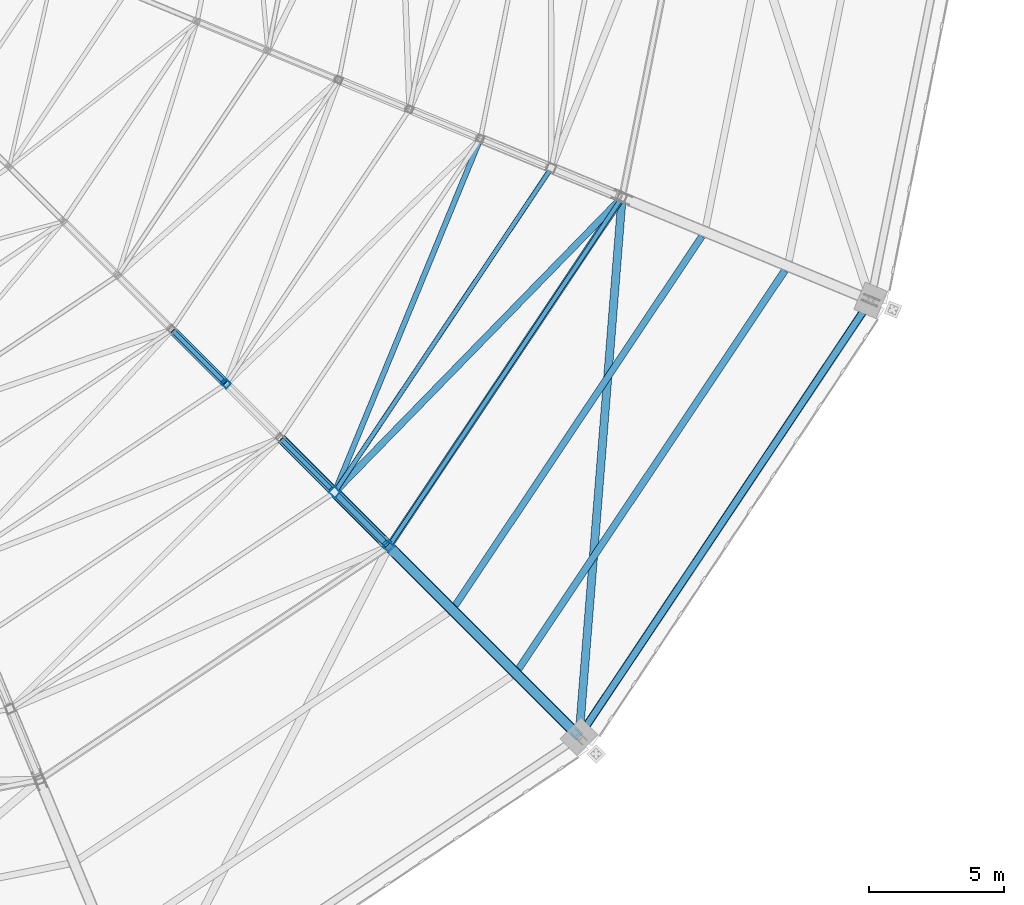
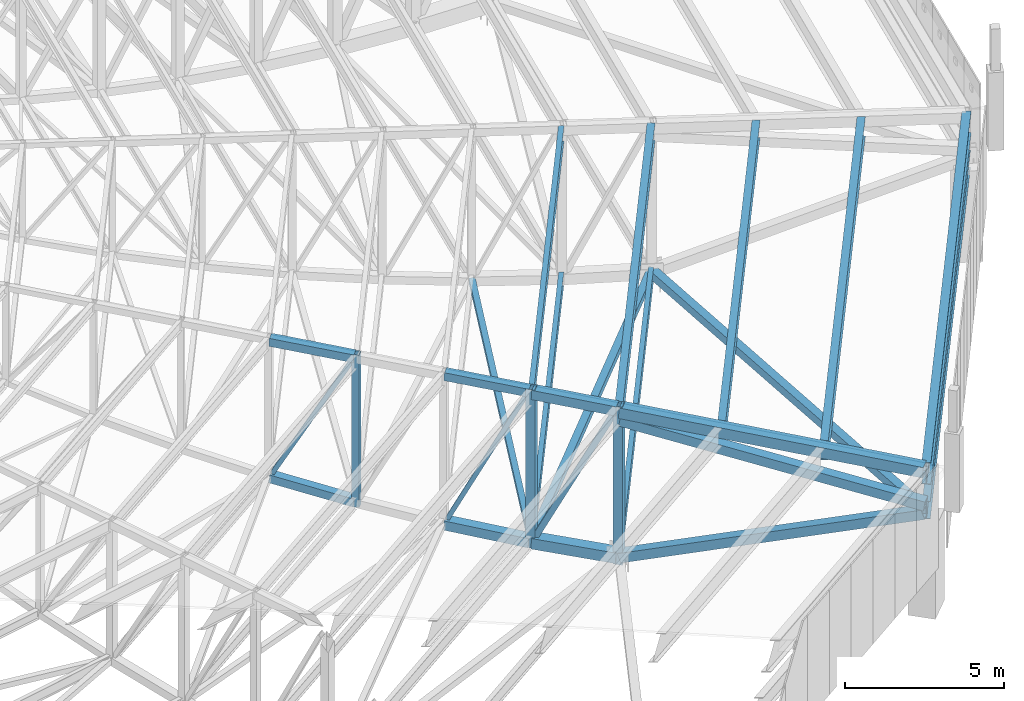
# One storey, part 45 of 278: 15 members, 11 beams.
"""IFC4 building model written with IfcOpenShell, lengths in metres."""

from ifc_helpers import new_model, si_unit, direction, frame, origin, origin_2d, place, context, subcontext, project, spatial, hollow_rectangle, i_section, extrude, material, material_profile, profile_set, type_object, element, save


model = new_model("IFC4")

# Units and contexts
model_context = context("Model", 3, precision=1e-05, world=origin(), true_north=direction((0.0, 1.0)))
body_context = subcontext(model_context, "Body", "Model", "MODEL_VIEW")
ifc_project = project(units=[si_unit("LENGTHUNIT", "METRE"), si_unit("AREAUNIT", "SQUARE_METRE"), si_unit("VOLUMEUNIT", "CUBIC_METRE"), si_unit("PLANEANGLEUNIT", "RADIAN"), si_unit("MASSUNIT", "GRAM", prefix="KILO")], contexts=[model_context])

# Site, building, storey
site_placement = place(None, origin())
site = spatial("IfcSite", under=ifc_project, at=site_placement, CompositionType="ELEMENT")
building_placement = place(site_placement, origin())
building = spatial("IfcBuilding", under=site, at=building_placement, Name="Ogive Plaza Stadium", CompositionType="ELEMENT")
storey_placement = place(building_placement, frame((0.0, 0.0, 29.0)))
storey = spatial("IfcBuildingStorey", under=building, at=storey_placement, Name="Roof", CompositionType="ELEMENT", Elevation=29.0)

# Members
ifc_material_1 = material(Name="Steel ASTM A500 Grade C", Category="steel")
ifc_material_profile_1 = material_profile(ifc_material_1, hollow_rectangle(XDim=0.25390625, YDim=0.25390625, WallThickness=0.0087890625, at=origin_2d()), Name="HSS10X10X3/8")
ifc_profile_set_1 = profile_set([ifc_material_profile_1], Name="Steel ASTM A500 Grade C")
member_type_1 = type_object("IfcMemberType", Name="Roof plan brace HSS10X10X3/8", PredefinedType="BRACE", material=ifc_profile_set_1)
member_1_placement = place(storey_placement, frame((60.355712890625, -78.68017578125, 0.266845703125), z_axis=(0.698042453973, 0.716044061782, -0.004199290068), x_axis=(-0.71605037524, 0.698048608708, 0.0)))
element("IfcMember", 1, at=member_1_placement, inside=storey, type_object=member_type_1, Name="ROOF BRACE B09 10", PredefinedType="BRACE", context=body_context, shape_type="SweptSolid", body=[
    extrude(hollow_rectangle(XDim=0.25390625, YDim=0.25390625, WallThickness=0.0087890625, at=origin_2d()), origin(), (0.0, 0.0, 1.0), 14.999755859375),
])
ifc_material_2 = material(Name="Steel ASTM A500 Grade C", Category="steel")
ifc_material_profile_2 = material_profile(ifc_material_2, hollow_rectangle(XDim=0.3046875, YDim=0.3046875, WallThickness=0.0087890625, at=origin_2d()), Name="HSS12X12X3/8")
ifc_profile_set_2 = profile_set([ifc_material_profile_2], Name="Steel ASTM A500 Grade C")
member_type_2 = type_object("IfcMemberType", Name="Roof plan brace HSS12X12X3/8", PredefinedType="BRACE", material=ifc_profile_set_2)
member_2_placement = place(storey_placement, frame((70.94091796875, -67.986328125, 0.234130859375), z_axis=(-0.078381095725, -0.982279512354, 0.170245010036), x_axis=(0.99683149372, -0.07954227259, 0.0)))
element("IfcMember", 2, at=member_2_placement, inside=storey, type_object=member_type_2, Name="ROOF BRACE B09 11", PredefinedType="BRACE", context=body_context, shape_type="SweptSolid", body=[
    extrude(hollow_rectangle(XDim=0.3046875, YDim=0.3046875, WallThickness=0.0087890625, at=origin_2d()), origin(), (0.0, 0.0, 1.0), 19.99072265625),
])
ifc_material_3 = material(Name="Steel ASTM A500 Grade C", Category="steel")
ifc_material_profile_3 = material_profile(ifc_material_3, hollow_rectangle(XDim=0.203125, YDim=0.203125, WallThickness=0.0087890625, at=origin_2d()), Name="HSS8X8X3/8")
ifc_profile_set_3 = profile_set([ifc_material_profile_3], Name="Steel ASTM A500 Grade C")
member_type_3 = type_object("IfcMemberType", Name="Roof plan brace HSS8X8X3/8", PredefinedType="BRACE", material=ifc_profile_set_3)
member_3_placement = place(storey_placement, frame((65.652099609375, -65.7158203125, 0.43359375), z_axis=(-0.381221848811, -0.924408703201, -0.011766538784), x_axis=(0.924472702703, -0.381248241907, 0.0)))
element("IfcMember", 3, at=member_3_placement, inside=storey, type_object=member_type_3, Name="ROOF BRACE B09 9", PredefinedType="BRACE", context=body_context, shape_type="SweptSolid", body=[
    extrude(hollow_rectangle(XDim=0.203125, YDim=0.203125, WallThickness=0.0087890625, at=origin_2d()), origin(), (0.0, 0.0, 1.0), 13.943115234375),
])
ifc_material_4 = material(Name="Steel ASTM A992 Grade 50", Category="steel")
ifc_material_profile_4 = material_profile(ifc_material_4, i_section(OverallWidth=0.1650390625, OverallDepth=0.524658203125, WebThickness=0.0087890625, FlangeThickness=0.011474609375, at=origin_2d()), Name="W21X44")
ifc_profile_set_4 = profile_set([ifc_material_profile_4], Name="Steel ASTM A992 Grade 50")
member_type_4 = type_object("IfcMemberType", Name="Roof plan strut W21X44", PredefinedType="STRUT", material=ifc_profile_set_4)
member_4_placement = place(storey_placement, frame((68.243408203125, -66.834716796875, 0.267333984375), z_axis=(-0.555572061125, -0.831468390799, 0.0), x_axis=(0.831468390799, -0.555572061125, 0.0)))
element("IfcMember", 4, at=member_4_placement, inside=storey, type_object=member_type_4, Name="ROOF STRUT B09 9", PredefinedType="STRUT", context=body_context, shape_type="SweptSolid", body=[
    extrude(i_section(OverallWidth=0.1650390625, OverallDepth=0.524658203125, WebThickness=0.0087890625, FlangeThickness=0.011474609375, at=origin_2d()), origin(), (0.0, 0.0, 1.0), 14.21142578125),
])
member_5_placement = place(storey_placement, frame((70.87646484375, -67.92529296875, 0.203125), z_axis=(-0.55557861986, -0.831464008334, 0.0), x_axis=(0.831464008334, -0.55557861986, 0.0)))
element("IfcMember", 5, at=member_5_placement, inside=storey, type_object=member_type_4, Name="ROOF STRUT B09 10", PredefinedType="STRUT", context=body_context, shape_type="SweptSolid", body=[
    extrude(i_section(OverallWidth=0.1650390625, OverallDepth=0.524658203125, WebThickness=0.0087890625, FlangeThickness=0.011474609375, at=origin_2d()), origin(), (0.0, 0.0, 1.0), 15.323486328125),
])
ifc_material_5 = material(Name="Steel ASTM A992 Grade 50", Category="steel")
ifc_material_profile_5 = material_profile(ifc_material_5, i_section(OverallWidth=0.2529296875, OverallDepth=0.678466796875, WebThickness=0.01171875, FlangeThickness=0.016357421875, at=origin_2d()), Name="W27X84")
ifc_profile_set_5 = profile_set([ifc_material_profile_5], Name="Steel ASTM A992 Grade 50")
member_type_5 = type_object("IfcMemberType", Name="Roof plan strut W27X84", PredefinedType="STRUT", material=ifc_profile_set_5)
member_6_placement = place(storey_placement, frame((80.13916015625, -71.71630859375, 3.677734375), z_axis=(-0.555575120146, -0.831466346809, 0.0), x_axis=(0.831466346809, -0.555575120146, 0.0)))
element("IfcMember", 6, at=member_6_placement, inside=storey, type_object=member_type_5, Name="ROOF STRUT B09 11", PredefinedType="STRUT", context=body_context, shape_type="SweptSolid", body=[
    extrude(i_section(OverallWidth=0.2529296875, OverallDepth=0.678466796875, WebThickness=0.01171875, FlangeThickness=0.016357421875, at=origin_2d()), origin(), (0.0, 0.0, 1.0), 19.3115234375),
])
ifc_material_6 = material(Name="Steel ASTM A992 Grade 50", Category="steel")
ifc_material_profile_6 = material_profile(ifc_material_6, i_section(OverallWidth=0.177978515625, OverallDepth=0.5986328125, WebThickness=0.010009765625, FlangeThickness=0.012939453125, at=origin_2d()), Name="W24X55")
ifc_profile_set_6 = profile_set([ifc_material_profile_6], Name="Steel ASTM A992 Grade 50")
member_type_6 = type_object("IfcMemberType", Name="Roof purlin W24X55", PredefinedType="PURLIN", material=ifc_profile_set_6)
member_7_placement = place(storey_placement, frame((68.24267578125, -66.835693359375, 5.84326171875), z_axis=(-0.555576164606, -0.831465648913, 0.0), x_axis=(0.831465648913, -0.555576164606, 0.0)))
element("IfcMember", 7, at=member_7_placement, inside=storey, type_object=member_type_6, Name="ROOF PURLIN B09 9", PredefinedType="PURLIN", context=body_context, shape_type="SweptSolid", body=[
    extrude(i_section(OverallWidth=0.177978515625, OverallDepth=0.5986328125, WebThickness=0.010009765625, FlangeThickness=0.012939453125, at=origin_2d()), origin(), (0.0, 0.0, 1.0), 14.209228515625),
])
ifc_material_7 = material(Name="Steel ASTM A992 Grade 50", Category="steel")
ifc_material_profile_7 = material_profile(ifc_material_7, i_section(OverallWidth=0.2529296875, OverallDepth=0.678466796875, WebThickness=0.01171875, FlangeThickness=0.016357421875, at=origin_2d()), Name="W27X84")
ifc_profile_set_7 = profile_set([ifc_material_profile_7], Name="Steel ASTM A992 Grade 50")
member_type_7 = type_object("IfcMemberType", Name="Roof purlin W27X84", PredefinedType="PURLIN", material=ifc_profile_set_7)
member_8_placement = place(storey_placement, frame((70.87158203125, -67.9326171875, 5.660888671875), z_axis=(-0.55557226162, -0.831468256832, 0.0), x_axis=(0.831468256832, -0.55557226162, 0.0)))
element("IfcMember", 8, at=member_8_placement, inside=storey, type_object=member_type_7, Name="ROOF PURLIN B09 10", PredefinedType="PURLIN", context=body_context, shape_type="SweptSolid", body=[
    extrude(i_section(OverallWidth=0.2529296875, OverallDepth=0.678466796875, WebThickness=0.01171875, FlangeThickness=0.016357421875, at=origin_2d()), origin(), (0.0, 0.0, 1.0), 15.30615234375),
])
member_9_placement = place(storey_placement, frame((73.92236328125, -69.251220703125, 5.494140625), z_axis=(-0.555570434046, -0.831469477981, 0.0), x_axis=(0.831469477981, -0.555570434046, 0.0)))
element("IfcMember", 9, at=member_9_placement, inside=storey, type_object=member_type_7, Name="ROOF PURLIN B09 11", PredefinedType="PURLIN", context=body_context, shape_type="SweptSolid", body=[
    extrude(i_section(OverallWidth=0.2529296875, OverallDepth=0.678466796875, WebThickness=0.01171875, FlangeThickness=0.016357421875, at=origin_2d()), origin(), (0.0, 0.0, 1.0), 16.503173828125),
])
ifc_material_8 = material(Name="Steel ASTM A992 Grade 50", Category="steel")
ifc_material_profile_8 = material_profile(ifc_material_8, i_section(OverallWidth=0.26416015625, OverallDepth=0.75, WebThickness=0.011962890625, FlangeThickness=0.015380859375, at=origin_2d()), Name="W30X90")
ifc_profile_set_8 = profile_set([ifc_material_profile_8], Name="Steel ASTM A992 Grade 50")
member_type_8 = type_object("IfcMemberType", Name="Roof purlin W30X90", PredefinedType="PURLIN", material=ifc_profile_set_8)
member_10_placement = place(storey_placement, frame((77.00146484375, -70.52783203125, 5.291748046875), z_axis=(-0.555579732472, -0.831463264893, 0.0), x_axis=(0.831463264893, -0.555579732472, 0.0)))
element("IfcMember", 10, at=member_10_placement, inside=storey, type_object=member_type_8, Name="ROOF PURLIN B09 12", PredefinedType="PURLIN", context=body_context, shape_type="SweptSolid", body=[
    extrude(i_section(OverallWidth=0.26416015625, OverallDepth=0.75, WebThickness=0.011962890625, FlangeThickness=0.015380859375, at=origin_2d()), origin(), (0.0, 0.0, 1.0), 17.801513671875),
])
ifc_material_9 = material(Name="Steel ASTM A992 Grade 50", Category="steel")
ifc_material_profile_9 = material_profile(ifc_material_9, i_section(OverallWidth=0.2919921875, OverallDepth=0.834716796875, WebThickness=0.013916015625, FlangeThickness=0.018798828125, at=origin_2d()), Name="W33X118")
ifc_profile_set_9 = profile_set([ifc_material_profile_9], Name="Steel ASTM A992 Grade 50")
member_type_9 = type_object("IfcMemberType", Name="Roof purlin W33X118", PredefinedType="PURLIN", material=ifc_profile_set_9)
member_11_placement = place(storey_placement, frame((80.136962890625, -71.719482421875, 5.082763671875), z_axis=(-0.55556963677, -0.831470010703, 0.0), x_axis=(0.831470010703, -0.55556963677, 0.0)))
element("IfcMember", 11, at=member_11_placement, inside=storey, type_object=member_type_9, Name="ROOF PURLIN B09 13", PredefinedType="PURLIN", context=body_context, shape_type="SweptSolid", body=[
    extrude(i_section(OverallWidth=0.2919921875, OverallDepth=0.834716796875, WebThickness=0.013916015625, FlangeThickness=0.018798828125, at=origin_2d()), origin(), (0.0, 0.0, 1.0), 19.3037109375),
])

# Beams
ifc_material_10 = material(Name="Steel ASTM A500 Grade C", Category="steel")
ifc_material_profile_10 = material_profile(ifc_material_10, hollow_rectangle(XDim=0.355712890625, YDim=0.355712890625, WallThickness=0.0146484375, at=origin_2d()), Name="HSS14X14X5/8")
ifc_profile_set_10 = profile_set([ifc_material_profile_10], Name="Steel ASTM A500 Grade C")
beam_type_1 = type_object("IfcBeamType", Name="Roof truss back-span bottom chord HSS14X14X5/8", PredefinedType="BEAM", material=ifc_profile_set_10)
beam_1_placement = place(storey_placement, frame((62.319580078125, -80.819580078125, 0.205810546875), z_axis=(0.667408831989, -0.667408831989, 0.330349666211), x_axis=(0.707106781187, 0.707106781187, 0.0)))
element("IfcBeam", 12, at=beam_1_placement, inside=storey, type_object=beam_type_1, Name="ROOF TRUSS T10 BOTTOM CHORD 11", PredefinedType="BEAM", context=body_context, shape_type="SweptSolid", body=[
    extrude(hollow_rectangle(XDim=0.355712890625, YDim=0.355712890625, WallThickness=0.0146484375, at=origin_2d()), origin(), (0.0, 0.0, 1.0), 10.4794921875),
])
ifc_material_11 = material(Name="Steel ASTM A500 Grade C", Category="steel")
ifc_material_profile_11 = material_profile(ifc_material_11, hollow_rectangle(XDim=0.406494140625, YDim=0.406494140625, WallThickness=0.01171875, at=origin_2d()), Name="HSS16X16X1/2")
ifc_profile_set_11 = profile_set([ifc_material_profile_11], Name="Steel ASTM A500 Grade C")
beam_type_2 = type_object("IfcBeamType", Name="Roof truss back-span top chord HSS16X16X1/2", PredefinedType="BEAM", material=ifc_profile_set_11)
beam_2_placement = place(storey_placement, frame((62.319580078125, -80.819580078125, 5.7939453125), z_axis=(0.706225036151, -0.706225036151, -0.049923908359), x_axis=(0.707106781187, 0.707106781187, 0.0)))
element("IfcBeam", 13, at=beam_2_placement, inside=storey, type_object=beam_type_2, Name="ROOF TRUSS T10 TOP CHORD 11", PredefinedType="BEAM", context=body_context, shape_type="SweptSolid", body=[
    extrude(hollow_rectangle(XDim=0.406494140625, YDim=0.406494140625, WallThickness=0.01171875, at=origin_2d()), origin(), (0.0, 0.0, 1.0), 9.91259765625),
])

# Member
ifc_material_12 = material(Name="Steel ASTM A500 Grade C", Category="steel")
ifc_material_profile_12 = material_profile(ifc_material_12, hollow_rectangle(XDim=0.355712890625, YDim=0.355712890625, WallThickness=0.01171875, at=origin_2d()), Name="HSS14X14X1/2")
ifc_profile_set_12 = profile_set([ifc_material_profile_12], Name="Steel ASTM A500 Grade C")
member_type_10 = type_object("IfcMemberType", Name="Roof truss back-stay HSS14X14X1/2", PredefinedType="BRACE", material=ifc_profile_set_12)
member_12_placement = place(storey_placement, frame((62.331787109375, -80.831787109375, 5.456787109375), z_axis=(0.699520899886, -0.699520899886, -0.146085664062), x_axis=(0.707106781187, 0.707106781187, 0.0)))
element("IfcMember", 14, at=member_12_placement, inside=storey, type_object=member_type_10, Name="BACK-STAY T10", PredefinedType="BRACE", context=body_context, shape_type="SweptSolid", body=[
    extrude(hollow_rectangle(XDim=0.355712890625, YDim=0.355712890625, WallThickness=0.01171875, at=origin_2d()), origin(), (0.0, 0.0, 1.0), 10.02392578125),
])

# Beams
ifc_material_13 = material(Name="Steel ASTM A500 Grade C", Category="steel")
ifc_material_profile_13 = material_profile(ifc_material_13, hollow_rectangle(XDim=0.3046875, YDim=0.3046875, WallThickness=0.0146484375, at=origin_2d()), Name="HSS12X12X5/8")
ifc_profile_set_13 = profile_set([ifc_material_profile_13], Name="Steel ASTM A500 Grade C")
beam_type_3 = type_object("IfcBeamType", Name="Roof truss bottom chord HSS12X12X5/8", PredefinedType="BEAM", material=ifc_profile_set_13)
beam_3_placement = place(storey_placement, frame((54.258544921875, -72.758544921875, 1.17431640625), z_axis=(0.698468783112, -0.698468783112, -0.155829130896), x_axis=(0.707106781187, 0.707106781187, 0.0)))
element("IfcBeam", 15, at=beam_3_placement, inside=storey, type_object=beam_type_3, Name="ROOF TRUSS T10 BOTTOM CHORD 7", PredefinedType="BEAM", context=body_context, shape_type="SweptSolid", body=[
    extrude(hollow_rectangle(XDim=0.3046875, YDim=0.3046875, WallThickness=0.0146484375, at=origin_2d()), origin(), (0.0, 0.0, 1.0), 2.7841796875),
])
ifc_material_14 = material(Name="Steel ASTM A500 Grade C", Category="steel")
ifc_material_profile_14 = material_profile(ifc_material_14, hollow_rectangle(XDim=0.355712890625, YDim=0.355712890625, WallThickness=0.0146484375, at=origin_2d()), Name="HSS14X14X5/8")
ifc_profile_set_14 = profile_set([ifc_material_profile_14], Name="Steel ASTM A500 Grade C")
beam_type_4 = type_object("IfcBeamType", Name="Roof truss bottom chord HSS14X14X5/8", PredefinedType="BEAM", material=ifc_profile_set_14)
beam_4_placement = place(storey_placement, frame((58.2890625, -76.7890625, 0.431884765625), z_axis=(0.705494369508, -0.705494369508, -0.067493623298), x_axis=(0.707106781187, 0.707106781187, 0.0)))
element("IfcBeam", 16, at=beam_4_placement, inside=storey, type_object=beam_type_4, Name="ROOF TRUSS T10 BOTTOM CHORD 9", PredefinedType="BEAM", context=body_context, shape_type="SweptSolid", body=[
    extrude(hollow_rectangle(XDim=0.355712890625, YDim=0.355712890625, WallThickness=0.0146484375, at=origin_2d()), origin(), (0.0, 0.0, 1.0), 2.75634765625),
])
ifc_material_15 = material(Name="Steel ASTM A500 Grade C", Category="steel")
ifc_material_profile_15 = material_profile(ifc_material_15, hollow_rectangle(XDim=0.406494140625, YDim=0.406494140625, WallThickness=0.0146484375, at=origin_2d()), Name="HSS16X16X5/8")
ifc_profile_set_15 = profile_set([ifc_material_profile_15], Name="Steel ASTM A500 Grade C")
beam_type_5 = type_object("IfcBeamType", Name="Roof truss bottom chord HSS16X16X5/8", PredefinedType="BEAM", material=ifc_profile_set_15)
beam_5_placement = place(storey_placement, frame((60.304443359375, -78.804443359375, 0.266357421875), z_axis=(0.706927078197, -0.706927078197, -0.02254356282), x_axis=(0.707106781187, 0.707106781187, 0.0)))
element("IfcBeam", 17, at=beam_5_placement, inside=storey, type_object=beam_type_5, Name="ROOF TRUSS T10 BOTTOM CHORD 10", PredefinedType="BEAM", context=body_context, shape_type="SweptSolid", body=[
    extrude(hollow_rectangle(XDim=0.406494140625, YDim=0.406494140625, WallThickness=0.0146484375, at=origin_2d()), origin(), (0.0, 0.0, 1.0), 2.750732421875),
])

# Members
ifc_material_16 = material(Name="Steel ASTM A500 Grade C", Category="steel")
ifc_material_profile_16 = material_profile(ifc_material_16, hollow_rectangle(XDim=0.15234375, YDim=0.15234375, WallThickness=0.0087890625, at=origin_2d()), Name="HSS6X6X3/8")
ifc_profile_set_16 = profile_set([ifc_material_profile_16], Name="Steel ASTM A500 Grade C")
member_type_11 = type_object("IfcMemberType", Name="Roof truss diagonal HSS6X6X3/8", PredefinedType="BRACE", material=ifc_profile_set_16)
member_13_placement = place(storey_placement, frame((54.31298828125, -72.81298828125, 1.332763671875), z_axis=(0.336929331101, -0.336929331101, 0.879179874478), x_axis=(0.707106781187, 0.707106781187, 0.0)))
element("IfcMember", 18, at=member_13_placement, inside=storey, type_object=member_type_11, Name="ROOF TRUSS T10 DIAGONAL 7", PredefinedType="BRACE", context=body_context, shape_type="SweptSolid", body=[
    extrude(hollow_rectangle(XDim=0.15234375, YDim=0.15234375, WallThickness=0.0087890625, at=origin_2d()), origin(), (0.0, 0.0, 1.0), 5.4482421875),
])
member_14_placement = place(storey_placement, frame((58.343505859375, -76.843505859375, 0.612548828125), z_axis=(0.312137612277, -0.312137612277, 0.897296061511), x_axis=(0.707106781187, 0.707106781187, 0.0)))
element("IfcMember", 19, at=member_14_placement, inside=storey, type_object=member_type_11, Name="ROOF TRUSS T10 DIAGONAL 9", PredefinedType="BRACE", context=body_context, shape_type="SweptSolid", body=[
    extrude(hollow_rectangle(XDim=0.15234375, YDim=0.15234375, WallThickness=0.0087890625, at=origin_2d()), origin(), (0.0, 0.0, 1.0), 5.8232421875),
])
ifc_material_17 = material(Name="Steel ASTM A500 Grade C", Category="steel")
ifc_material_profile_17 = material_profile(ifc_material_17, hollow_rectangle(XDim=0.203125, YDim=0.203125, WallThickness=0.0087890625, at=origin_2d()), Name="HSS8X8X3/8")
ifc_profile_set_17 = profile_set([ifc_material_profile_17], Name="Steel ASTM A500 Grade C")
member_type_12 = type_object("IfcMemberType", Name="Roof truss diagonal HSS8X8X3/8", PredefinedType="BRACE", material=ifc_profile_set_17)
member_15_placement = place(storey_placement, frame((60.376708984375, -78.876708984375, 0.470703125), z_axis=(0.31215123017, -0.31215123017, 0.897286586887), x_axis=(0.707106781187, 0.707106781187, 0.0)))
element("IfcMember", 20, at=member_15_placement, inside=storey, type_object=member_type_12, Name="ROOF TRUSS T10 DIAGONAL 10", PredefinedType="BRACE", context=body_context, shape_type="SweptSolid", body=[
    extrude(hollow_rectangle(XDim=0.203125, YDim=0.203125, WallThickness=0.0087890625, at=origin_2d()), origin(), (0.0, 0.0, 1.0), 5.765869140625),
])

# Beams
ifc_material_18 = material(Name="Steel ASTM A500 Grade C", Category="steel")
ifc_material_profile_18 = material_profile(ifc_material_18, hollow_rectangle(XDim=0.25390625, YDim=0.25390625, WallThickness=0.01171875, at=origin_2d()), Name="HSS10X10X1/2")
ifc_profile_set_18 = profile_set([ifc_material_profile_18], Name="Steel ASTM A500 Grade C")
beam_type_6 = type_object("IfcBeamType", Name="Roof truss post HSS10X10X1/2", PredefinedType="BEAM", material=ifc_profile_set_18)
beam_6_placement = place(storey_placement, frame((56.238525390625, -74.738525390625, 0.578369140625), z_axis=(0.0, 0.0, 1.0), x_axis=(0.707106781187, 0.707106781187, 0.0)))
element("IfcBeam", 21, at=beam_6_placement, inside=storey, type_object=beam_type_6, Name="ROOF TRUSS T10 POST 8", PredefinedType="BEAM", context=body_context, shape_type="SweptSolid", body=[
    extrude(hollow_rectangle(XDim=0.25390625, YDim=0.25390625, WallThickness=0.01171875, at=origin_2d()), origin(), (0.0, 0.0, 1.0), 5.84912109375),
])
ifc_material_19 = material(Name="Steel ASTM A500 Grade C", Category="steel")
ifc_material_profile_19 = material_profile(ifc_material_19, hollow_rectangle(XDim=0.3046875, YDim=0.3046875, WallThickness=0.01171875, at=origin_2d()), Name="HSS12X12X1/2")
ifc_profile_set_19 = profile_set([ifc_material_profile_19], Name="Steel ASTM A500 Grade C")
beam_type_7 = type_object("IfcBeamType", Name="Roof truss post HSS12X12X1/2", PredefinedType="BEAM", material=ifc_profile_set_19)
beam_7_placement = place(storey_placement, frame((60.26904296875, -78.76904296875, 0.064208984375), z_axis=(0.0, 0.0, 1.0), x_axis=(0.707106781187, 0.707106781187, 0.0)))
element("IfcBeam", 22, at=beam_7_placement, inside=storey, type_object=beam_type_7, Name="ROOF TRUSS T10 POST 10", PredefinedType="BEAM", context=body_context, shape_type="SweptSolid", body=[
    extrude(hollow_rectangle(XDim=0.3046875, YDim=0.3046875, WallThickness=0.01171875, at=origin_2d()), origin(), (0.0, 0.0, 1.0), 6.078369140625),
])
beam_8_placement = place(storey_placement, frame((62.2841796875, -80.7841796875, -0.06005859375), z_axis=(0.0, 0.0, 1.0), x_axis=(0.707106781187, 0.707106781187, 0.0)))
element("IfcBeam", 23, at=beam_8_placement, inside=storey, type_object=beam_type_7, Name="ROOF TRUSS T10 POST 11", PredefinedType="BEAM", context=body_context, shape_type="SweptSolid", body=[
    extrude(hollow_rectangle(XDim=0.3046875, YDim=0.3046875, WallThickness=0.01171875, at=origin_2d()), origin(), (0.0, 0.0, 1.0), 6.06005859375),
])
ifc_material_20 = material(Name="Steel ASTM A500 Grade C", Category="steel")
ifc_material_profile_20 = material_profile(ifc_material_20, hollow_rectangle(XDim=0.3046875, YDim=0.3046875, WallThickness=0.01171875, at=origin_2d()), Name="HSS12X12X1/2")
ifc_profile_set_20 = profile_set([ifc_material_profile_20], Name="Steel ASTM A500 Grade C")
beam_type_8 = type_object("IfcBeamType", Name="Roof truss top chord HSS12X12X1/2", PredefinedType="BEAM", material=ifc_profile_set_20)
beam_9_placement = place(storey_placement, frame((58.2890625, -76.7890625, 6.1298828125), z_axis=(0.706225209818, -0.706225209818, -0.049918994743), x_axis=(0.707106781187, 0.707106781187, 0.0)))
element("IfcBeam", 24, at=beam_9_placement, inside=storey, type_object=beam_type_8, Name="ROOF TRUSS T10 TOP CHORD 9", PredefinedType="BEAM", context=body_context, shape_type="SweptSolid", body=[
    extrude(hollow_rectangle(XDim=0.3046875, YDim=0.3046875, WallThickness=0.01171875, at=origin_2d()), origin(), (0.0, 0.0, 1.0), 2.75341796875),
])
ifc_material_21 = material(Name="Steel ASTM A500 Grade C", Category="steel")
ifc_material_profile_21 = material_profile(ifc_material_21, hollow_rectangle(XDim=0.3046875, YDim=0.3046875, WallThickness=0.0087890625, at=origin_2d()), Name="HSS12X12X3/8")
ifc_profile_set_21 = profile_set([ifc_material_profile_21], Name="Steel ASTM A500 Grade C")
beam_type_9 = type_object("IfcBeamType", Name="Roof truss top chord HSS12X12X3/8", PredefinedType="BEAM", material=ifc_profile_set_21)
beam_10_placement = place(storey_placement, frame((54.258544921875, -72.758544921875, 6.414794921875), z_axis=(0.706225209818, -0.706225209818, -0.049918994743), x_axis=(0.707106781187, 0.707106781187, 0.0)))
element("IfcBeam", 25, at=beam_10_placement, inside=storey, type_object=beam_type_9, Name="ROOF TRUSS T10 TOP CHORD 7", PredefinedType="BEAM", context=body_context, shape_type="SweptSolid", body=[
    extrude(hollow_rectangle(XDim=0.3046875, YDim=0.3046875, WallThickness=0.0087890625, at=origin_2d()), origin(), (0.0, 0.0, 1.0), 2.75341796875),
])
ifc_material_22 = material(Name="Steel ASTM A500 Grade C", Category="steel")
ifc_material_profile_22 = material_profile(ifc_material_22, hollow_rectangle(XDim=0.355712890625, YDim=0.355712890625, WallThickness=0.01171875, at=origin_2d()), Name="HSS14X14X1/2")
ifc_profile_set_22 = profile_set([ifc_material_profile_22], Name="Steel ASTM A500 Grade C")
beam_type_10 = type_object("IfcBeamType", Name="Roof truss top chord HSS14X14X1/2", PredefinedType="BEAM", material=ifc_profile_set_22)
beam_11_placement = place(storey_placement, frame((60.304443359375, -78.804443359375, 5.9619140625), z_axis=(0.706225209818, -0.706225209818, -0.049918994743), x_axis=(0.707106781187, 0.707106781187, 0.0)))
element("IfcBeam", 26, at=beam_11_placement, inside=storey, type_object=beam_type_10, Name="ROOF TRUSS T10 TOP CHORD 10", PredefinedType="BEAM", context=body_context, shape_type="SweptSolid", body=[
    extrude(hollow_rectangle(XDim=0.355712890625, YDim=0.355712890625, WallThickness=0.01171875, at=origin_2d()), origin(), (0.0, 0.0, 1.0), 2.75341796875),
])

save(model, "model.ifc")
